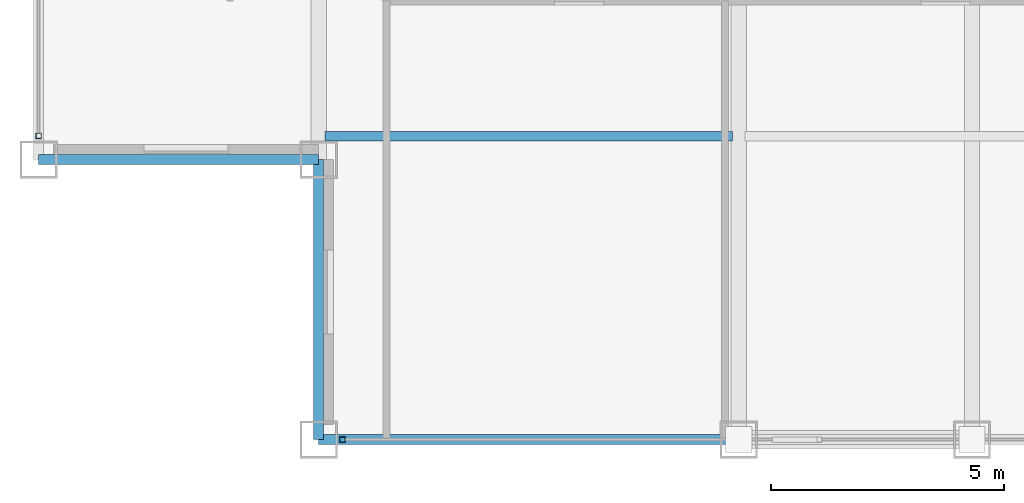
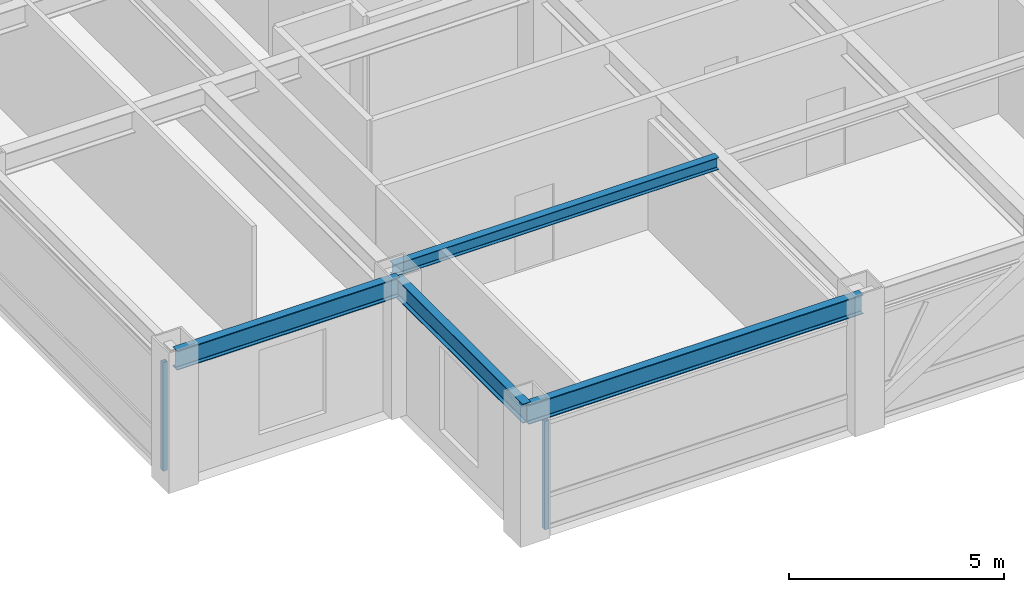
# One storey, part 2 of 28: 4 beams, 2 members, 2 elements without a shape of their own.
"""IFC4 building model written with IfcOpenShell, lengths in metres."""

from ifc_helpers import new_model, si_unit, direction, frame, origin, origin_2d, place, context, subcontext, project, spatial, hollow_rectangle, i_section, extrude, source, transform, mapped, material, material_profile, profile_set, type_object, element, aggregate, save


model = new_model("IFC4")

# Units and contexts
model_context = context("Model", 3, precision=1e-05, world=origin(), true_north=direction((0.0, 1.0)))
body_context = subcontext(model_context, "Body", "Model", "MODEL_VIEW")
ifc_project = project(units=[si_unit("LENGTHUNIT", "METRE"), si_unit("AREAUNIT", "SQUARE_METRE"), si_unit("VOLUMEUNIT", "CUBIC_METRE"), si_unit("PLANEANGLEUNIT", "RADIAN"), si_unit("MASSUNIT", "GRAM", prefix="KILO")], contexts=[model_context])

# Site, building, storey
site_placement = place(None, origin())
site = spatial("IfcSite", under=ifc_project, at=site_placement, CompositionType="ELEMENT")
building_placement = place(site_placement, origin())
building = spatial("IfcBuilding", under=site, at=building_placement, Name="Khorayat Bourse Tower", CompositionType="ELEMENT")
storey_placement = place(building_placement, frame((0.0, 0.0, 334.300048828125)))
storey = spatial("IfcBuildingStorey", under=building, at=storey_placement, Name="L79", CompositionType="ELEMENT", Elevation=334.300048828125)

# Beams
ifc_material_1 = material(Name="Steel ASTM A992 Grade 50", Category="steel")
ifc_material_profile_1 = material_profile(ifc_material_1, i_section(OverallWidth=0.214111328125, OverallDepth=0.549072265625, WebThickness=0.0146484375, FlangeThickness=0.023681640625, FilletRadius=0.013916015625, at=origin_2d()), Name="W530X138")
ifc_profile_set_1 = profile_set([ifc_material_profile_1], Name="Steel ASTM A992 Grade 50")
beam_type_1 = type_object("IfcBeamType", Name="BM-SPAN-530", PredefinedType="SPANDREL", material=ifc_profile_set_1)
shared_shape_1 = source(origin(), body_context, "Body", "SweptSolid", [
    extrude(i_section(OverallWidth=0.214111328125, OverallDepth=0.549072265625, WebThickness=0.0146484375, FlangeThickness=0.023681640625, FilletRadius=0.013916015625, at=origin_2d()), origin(), (0.0, 0.0, 1.0), 9.0),
])
beam_1_placement = place(storey_placement, frame((-20.0, -26.0, 3.46533203125), z_axis=(1.0, 0.0, 0.0), x_axis=(0.0, 1.0, 0.0)))
element("IfcBeam", 1, at=beam_1_placement, inside=storey, type_object=beam_type_1, Name="L79 BM-SPAN-530 BM-L79-SPN-024", PredefinedType="SPANDREL", context=body_context, shape_type="MappedRepresentation", body=[
    mapped(shared_shape_1, transform((0.0, 0.0, 0.0), scale=1.0)),
])
shared_shape_2 = source(origin(), body_context, "Body", "SweptSolid", [
    extrude(i_section(OverallWidth=0.214111328125, OverallDepth=0.549072265625, WebThickness=0.0146484375, FlangeThickness=0.023681640625, FilletRadius=0.013916015625, at=origin_2d()), origin(), (0.0, 0.0, 1.0), 6.0),
])
for number, where, z_axis, x_axis, name in (
    (2, (-26.0, -20.0, 3.46533203125), (1.0, 0.0, 0.0), (0.0, 1.0, 0.0), "L79 BM-SPAN-530 BM-L79-SPN-054"),
    (3, (-20.0, -26.0, 3.46533203125), (0.0, 1.0, 0.0), (-1.0, 0.0, 0.0), "L79 BM-SPAN-530 BM-L79-SPN-055"),
):
    element("IfcBeam", number, at=place(storey_placement, frame(where, z_axis=z_axis, x_axis=x_axis)), inside=storey, type_object=beam_type_1, Name=name, PredefinedType="SPANDREL", context=body_context, shape_type="MappedRepresentation", body=[
        mapped(shared_shape_2, transform((0.0, 0.0, 0.0), scale=1.0)),
    ])
ifc_material_profile_2 = material_profile(ifc_material_1, i_section(OverallWidth=0.202880859375, OverallDepth=0.346923828125, WebThickness=0.0078125, FlangeThickness=0.013427734375, FilletRadius=0.010009765625, at=origin_2d()), Name="W360X64")
ifc_profile_set_2 = profile_set([ifc_material_profile_2], Name="Steel ASTM A992 Grade 50")
beam_type_2 = type_object("IfcBeamType", Name="BM-JOIST-360", PredefinedType="JOIST", material=ifc_profile_set_2)
shared_shape_3 = source(origin(), body_context, "Body", "SweptSolid", [
    extrude(i_section(OverallWidth=0.202880859375, OverallDepth=0.346923828125, WebThickness=0.0078125, FlangeThickness=0.013427734375, FilletRadius=0.010009765625, at=origin_2d()), origin(), (0.0, 0.0, 1.0), 8.740234375),
])
beam_2_placement = place(storey_placement, frame((-19.8701171875, -19.5, 3.56640625), z_axis=(1.0, 0.0, 0.0), x_axis=(0.0, 1.0, 0.0)))
element("IfcBeam", 4, at=beam_2_placement, inside=storey, type_object=beam_type_2, Name="L79 BM-JOIST-360 BM-L79-JSTX-080", PredefinedType="JOIST", context=body_context, shape_type="MappedRepresentation", body=[
    mapped(shared_shape_3, transform((0.0, 0.0, 0.0), scale=1.0)),
])

# Curtain wall, member
ifc_material_2 = material(Name="Aluminium EN AW-6063 T6", Category="aluminium")
curtain_wall_type = type_object("IfcCurtainWallType", Name="CW-SYS-04", PredefinedType="NOTDEFINED", material=ifc_material_2)
curtain_wall_1_placement = place(storey_placement, origin())
curtain_wall_1 = element("IfcCurtainWall", 5, at=curtain_wall_1_placement, inside=storey, type_object=curtain_wall_type, Name="L79 Curtain Wall CW-L79-S1", PredefinedType="NOTDEFINED")
ifc_material_profile_3 = material_profile(ifc_material_2, hollow_rectangle(XDim=0.1201171875, YDim=0.1201171875, WallThickness=0.0048828125, at=origin_2d()), Name="ALU 120x120x5")
ifc_profile_set_3 = profile_set([ifc_material_profile_3], Name="Aluminium EN AW-6063 T6")
member_type = type_object("IfcMemberType", Name="CWM-VERT-120", PredefinedType="MULLION", material=ifc_profile_set_3)
shared_shape_4 = source(origin(), body_context, "Body", "SweptSolid", [
    extrude(hollow_rectangle(XDim=0.1201171875, YDim=0.1201171875, WallThickness=0.0048828125, at=origin_2d()), origin(), (0.0, 0.0, 1.0), 3.08984375),
])
member_1_placement = place(storey_placement, frame((-19.489990234375, -26.0, 0.0), z_axis=(0.0, 0.0, 1.0), x_axis=(0.0, 1.0, 0.0)))
member_1 = element("IfcMember", 6, at=member_1_placement, type_object=member_type, Name="CW-L79-S1 Vertical Mullion 1", PredefinedType="MULLION", context=body_context, shape_type="MappedRepresentation", body=[
    mapped(shared_shape_4, transform((0.0, 0.0, 0.0), scale=1.0)),
])
aggregate(curtain_wall_1, [member_1])

curtain_wall_2_placement = place(storey_placement, origin())
curtain_wall_2 = element("IfcCurtainWall", 7, at=curtain_wall_2_placement, inside=storey, type_object=curtain_wall_type, Name="L79 Curtain Wall CW-L79-W1", PredefinedType="NOTDEFINED")
member_2_placement = place(storey_placement, frame((-26.0, -19.489990234375, 0.0), z_axis=(0.0, 0.0, 1.0), x_axis=(-1.0, 0.0, 0.0)))
member_2 = element("IfcMember", 8, at=member_2_placement, type_object=member_type, Name="CW-L79-W1 Vertical Mullion 1", PredefinedType="MULLION", context=body_context, shape_type="MappedRepresentation", body=[
    mapped(shared_shape_4, transform((0.0, 0.0, 0.0), scale=1.0)),
])
aggregate(curtain_wall_2, [member_2])

save(model, "model.ifc")
